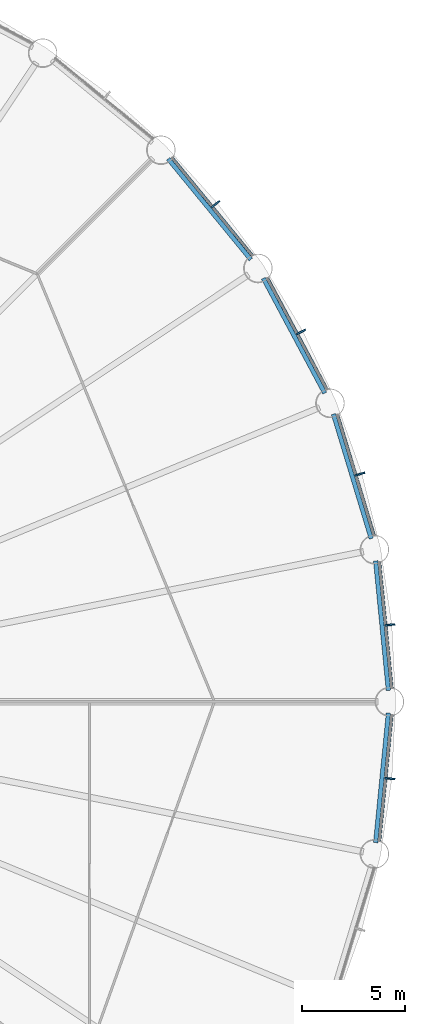
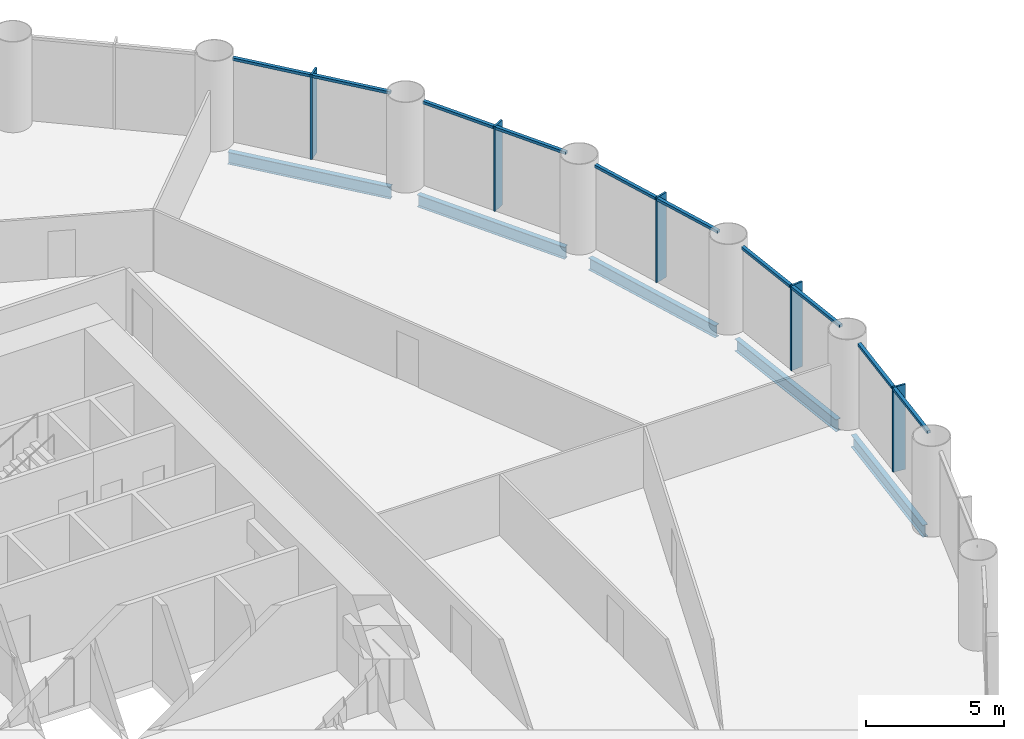
# One storey, part 6 of 15: 15 members, 5 beams, 5 elements without a shape of their own.
"""IFC4 building model written with IfcOpenShell, lengths in metres."""

from ifc_helpers import new_model, si_unit, direction, frame, origin, origin_2d, place, context, subcontext, project, spatial, rectangle, i_section, extrude, material, material_profile, profile_set, type_object, element, aggregate, save


model = new_model("IFC4")

# Units and contexts
model_context = context("Model", 3, precision=1e-05, world=origin(), true_north=direction((0.0, 1.0)))
body_context = subcontext(model_context, "Body", "Model", "MODEL_VIEW")
ifc_project = project(units=[si_unit("LENGTHUNIT", "METRE"), si_unit("AREAUNIT", "SQUARE_METRE"), si_unit("VOLUMEUNIT", "CUBIC_METRE"), si_unit("PLANEANGLEUNIT", "RADIAN"), si_unit("MASSUNIT", "GRAM", prefix="KILO")], contexts=[model_context])

# Site, building, storey
site_placement = place(None, origin())
site = spatial("IfcSite", under=ifc_project, at=site_placement, CompositionType="ELEMENT")
building_placement = place(site_placement, origin())
building = spatial("IfcBuilding", under=site, at=building_placement, Name="Corvane Civic Tower", CompositionType="ELEMENT")
storey_placement = place(building_placement, frame((0.0, 0.0, 57.0)))
storey = spatial("IfcBuildingStorey", under=building, at=storey_placement, Name="L12", CompositionType="ELEMENT", Elevation=57.0)

# Beams
ifc_material_1 = material(Name="Steel ASTM A992 Gr 50", Category="steel")
ifc_material_profile_1 = material_profile(ifc_material_1, i_section(OverallWidth=0.209228515625, OverallDepth=0.533447265625, WebThickness=0.01025390625, FlangeThickness=0.015625, at=origin_2d()), Name="W21X62")
ifc_profile_set_1 = profile_set([ifc_material_profile_1], Name="Steel ASTM A992 Gr 50")
beam_type = type_object("IfcBeamType", Name="EDGE BEAM W21X62", PredefinedType="BEAM", material=ifc_profile_set_1)
beam_placement = place(storey_placement, frame((27.0068359375, 26.23291015625, -0.566650390625), z_axis=(0.634386787141, -0.773015785286, 0.0), x_axis=(0.773015785286, 0.634386787141, 0.0)))
element("IfcBeam", 1, at=beam_placement, inside=storey, type_object=beam_type, Name="BM-L12-E05", PredefinedType="BEAM", context=body_context, shape_type="SweptSolid", body=[
    extrude(i_section(OverallWidth=0.209228515625, OverallDepth=0.533447265625, WebThickness=0.01025390625, FlangeThickness=0.015625, at=origin_2d()), origin(), (0.0, 0.0, 1.0), 6.290771484375),
])
for number, where, z_axis, x_axis, name in (
    (2, (31.605712890625, 20.4599609375, -0.566650390625), (0.471405897311, -0.881916367906, 0.0), (0.881916367906, 0.471405897311, 0.0), "BM-L12-E06"),
    (3, (34.989990234375, 13.90087890625, -0.566650390625), (0.290273452184, -0.956943740748, 0.0), (0.956943740748, 0.290273452184, 0.0), "BM-L12-E07"),
):
    element("IfcBeam", number, at=place(storey_placement, frame(where, z_axis=z_axis, x_axis=x_axis)), inside=storey, type_object=beam_type, Name=name, PredefinedType="BEAM", context=body_context, shape_type="SweptSolid", body=[
        extrude(i_section(OverallWidth=0.209228515625, OverallDepth=0.533447265625, WebThickness=0.01025390625, FlangeThickness=0.015625, at=origin_2d()), origin(), (0.0, 0.0, 1.0), 6.290283203125),
    ])
for number, where, z_axis, x_axis, name in (
    (4, (37.029541015625, 6.8076171875, -0.566650390625), (0.097997284622, -0.995186682089, 0.0), (0.995186682089, 0.097997284622, 0.0), "BM-L12-E08"),
    (5, (37.64599609375, -0.54736328125, -0.566650390625), (-0.097997284622, -0.995186682089, 0.0), (0.995186682089, -0.097997284622, 0.0), "BM-L12-E09"),
):
    element("IfcBeam", number, at=place(storey_placement, frame(where, z_axis=z_axis, x_axis=x_axis)), inside=storey, type_object=beam_type, Name=name, PredefinedType="BEAM", context=body_context, shape_type="SweptSolid", body=[
        extrude(i_section(OverallWidth=0.209228515625, OverallDepth=0.533447265625, WebThickness=0.01025390625, FlangeThickness=0.015625, at=origin_2d()), origin(), (0.0, 0.0, 1.0), 6.29052734375),
    ])

# Curtain wall, members
ifc_material_2 = material(Name="Anodised aluminium bronze", Category="aluminium")
curtain_wall_type = type_object("IfcCurtainWallType", Name="TOWER CW-T1 STICK CURTAIN WALL", PredefinedType="NOTDEFINED", material=ifc_material_2)
curtain_wall_1_placement = place(storey_placement, origin())
curtain_wall_1 = element("IfcCurtainWall", 6, at=curtain_wall_1_placement, inside=storey, type_object=curtain_wall_type, Name="Curtain wall CW-T1 L12 bay 05", PredefinedType="NOTDEFINED")
ifc_material_3 = material(Name="Anodised aluminium bronze", Category="aluminium")
ifc_material_profile_2 = material_profile(ifc_material_3, rectangle(XDim=0.139892578125, YDim=0.1201171875, at=origin_2d()), Name="TOWER CW-T1 TRANSOM 140x120")
ifc_profile_set_2 = profile_set([ifc_material_profile_2], Name="Anodised aluminium bronze")
member_type_1 = type_object("IfcMemberType", Name="TOWER CW-T1 TRANSOM 140x120", PredefinedType="USERDEFINED", material=ifc_profile_set_2)
member_1_placement = place(storey_placement, frame((27.20654296875, 26.271728515625, 3.68994140625), z_axis=(0.634403652865, -0.773001943873, 0.0), x_axis=(0.773001943873, 0.634403652865, 0.0)))
member_1 = element("IfcMember", 7, at=member_1_placement, type_object=member_type_1, Name="Transom CW-T1 L12 05.1", ObjectType="TRANSOM", PredefinedType="USERDEFINED", context=body_context, shape_type="SweptSolid", body=[
    extrude(rectangle(XDim=0.139892578125, YDim=0.1201171875, at=origin_2d()), origin(), (0.0, 0.0, 1.0), 3.008544921875),
])
member_2_placement = place(storey_placement, frame((29.166015625, 23.88427734375, 3.68994140625), z_axis=(0.634355161466, -0.773041738279, 0.0), x_axis=(0.773041738279, 0.634355161466, 0.0)))
member_2 = element("IfcMember", 8, at=member_2_placement, type_object=member_type_1, Name="Transom CW-T1 L12 05.2", ObjectType="TRANSOM", PredefinedType="USERDEFINED", context=body_context, shape_type="SweptSolid", body=[
    extrude(rectangle(XDim=0.139892578125, YDim=0.1201171875, at=origin_2d()), origin(), (0.0, 0.0, 1.0), 3.008544921875),
])

curtain_wall_2_placement = place(storey_placement, origin())
curtain_wall_2 = element("IfcCurtainWall", 9, at=curtain_wall_2_placement, inside=storey, type_object=curtain_wall_type, Name="Curtain wall CW-T1 L12 bay 06", PredefinedType="NOTDEFINED")
member_3_placement = place(storey_placement, frame((31.809326171875, 20.459228515625, 3.68994140625), z_axis=(0.471392506424, -0.881923525532, 0.0), x_axis=(0.881923525532, 0.471392506424, 0.0)))
member_3 = element("IfcMember", 10, at=member_3_placement, type_object=member_type_1, Name="Transom CW-T1 L12 06.1", ObjectType="TRANSOM", PredefinedType="USERDEFINED", context=body_context, shape_type="SweptSolid", body=[
    extrude(rectangle(XDim=0.139892578125, YDim=0.1201171875, at=origin_2d()), origin(), (0.0, 0.0, 1.0), 3.008544921875),
])
member_4_placement = place(storey_placement, frame((33.26513671875, 17.7353515625, 3.68994140625), z_axis=(0.471392506424, -0.881923525532, 0.0), x_axis=(0.881923525532, 0.471392506424, 0.0)))
member_4 = element("IfcMember", 11, at=member_4_placement, type_object=member_type_1, Name="Transom CW-T1 L12 06.2", ObjectType="TRANSOM", PredefinedType="USERDEFINED", context=body_context, shape_type="SweptSolid", body=[
    extrude(rectangle(XDim=0.139892578125, YDim=0.1201171875, at=origin_2d()), origin(), (0.0, 0.0, 1.0), 3.008544921875),
])

curtain_wall_3_placement = place(storey_placement, origin())
curtain_wall_3 = element("IfcCurtainWall", 12, at=curtain_wall_3_placement, inside=storey, type_object=curtain_wall_type, Name="Curtain wall CW-T1 L12 bay 07", PredefinedType="NOTDEFINED")
member_5_placement = place(storey_placement, frame((35.189453125, 13.8603515625, 3.68994140625), z_axis=(0.290279914268, -0.956941780555, 0.0), x_axis=(0.956941780555, 0.290279914268, 0.0)))
member_5 = element("IfcMember", 13, at=member_5_placement, type_object=member_type_1, Name="Transom CW-T1 L12 07.1", ObjectType="TRANSOM", PredefinedType="USERDEFINED", context=body_context, shape_type="SweptSolid", body=[
    extrude(rectangle(XDim=0.139892578125, YDim=0.1201171875, at=origin_2d()), origin(), (0.0, 0.0, 1.0), 3.008544921875),
])
member_6_placement = place(storey_placement, frame((36.0859375, 10.90478515625, 3.68994140625), z_axis=(0.290279914268, -0.956941780555, 0.0), x_axis=(0.956941780555, 0.290279914268, 0.0)))
member_6 = element("IfcMember", 14, at=member_6_placement, type_object=member_type_1, Name="Transom CW-T1 L12 07.2", ObjectType="TRANSOM", PredefinedType="USERDEFINED", context=body_context, shape_type="SweptSolid", body=[
    extrude(rectangle(XDim=0.139892578125, YDim=0.1201171875, at=origin_2d()), origin(), (0.0, 0.0, 1.0), 3.008544921875),
])

curtain_wall_4_placement = place(storey_placement, origin())
curtain_wall_4 = element("IfcCurtainWall", 15, at=curtain_wall_4_placement, inside=storey, type_object=curtain_wall_type, Name="Curtain wall CW-T1 L12 bay 08", PredefinedType="NOTDEFINED")
member_7_placement = place(storey_placement, frame((37.21728515625, 6.72900390625, 3.68994140625), z_axis=(0.097944923917, -0.995191836722, 0.0), x_axis=(0.995191836722, 0.097944923917, 0.0)))
member_7 = element("IfcMember", 16, at=member_7_placement, type_object=member_type_1, Name="Transom CW-T1 L12 08.1", ObjectType="TRANSOM", PredefinedType="USERDEFINED", context=body_context, shape_type="SweptSolid", body=[
    extrude(rectangle(XDim=0.139892578125, YDim=0.1201171875, at=origin_2d()), origin(), (0.0, 0.0, 1.0), 3.008544921875),
])
member_8_placement = place(storey_placement, frame((37.52001953125, 3.6552734375, 3.68994140625), z_axis=(0.097944923917, -0.995191836722, 0.0), x_axis=(0.995191836722, 0.097944923917, 0.0)))
member_8 = element("IfcMember", 17, at=member_8_placement, type_object=member_type_1, Name="Transom CW-T1 L12 08.2", ObjectType="TRANSOM", PredefinedType="USERDEFINED", context=body_context, shape_type="SweptSolid", body=[
    extrude(rectangle(XDim=0.139892578125, YDim=0.1201171875, at=origin_2d()), origin(), (0.0, 0.0, 1.0), 3.008544921875),
])

curtain_wall_5_placement = place(storey_placement, origin())
curtain_wall_5 = element("IfcCurtainWall", 18, at=curtain_wall_5_placement, inside=storey, type_object=curtain_wall_type, Name="Curtain wall CW-T1 L12 bay 09", PredefinedType="NOTDEFINED")
member_9_placement = place(storey_placement, frame((37.814697265625, -0.6611328125, 3.68994140625), z_axis=(-0.097944923917, -0.995191836722, 0.0), x_axis=(0.995191836722, -0.097944923917, 0.0)))
member_9 = element("IfcMember", 19, at=member_9_placement, type_object=member_type_1, Name="Transom CW-T1 L12 09.1", ObjectType="TRANSOM", PredefinedType="USERDEFINED", context=body_context, shape_type="SweptSolid", body=[
    extrude(rectangle(XDim=0.139892578125, YDim=0.1201171875, at=origin_2d()), origin(), (0.0, 0.0, 1.0), 3.008544921875),
])
member_10_placement = place(storey_placement, frame((37.511962890625, -3.73486328125, 3.68994140625), z_axis=(-0.097944923917, -0.995191836722, 0.0), x_axis=(0.995191836722, -0.097944923917, 0.0)))
member_10 = element("IfcMember", 20, at=member_10_placement, type_object=member_type_1, Name="Transom CW-T1 L12 09.2", ObjectType="TRANSOM", PredefinedType="USERDEFINED", context=body_context, shape_type="SweptSolid", body=[
    extrude(rectangle(XDim=0.139892578125, YDim=0.1201171875, at=origin_2d()), origin(), (0.0, 0.0, 1.0), 3.008544921875),
])

# Member
ifc_material_4 = material(Name="Anodised aluminium bronze", Category="aluminium")
ifc_material_profile_3 = material_profile(ifc_material_4, rectangle(XDim=0.080078125, YDim=0.5, at=origin_2d()), Name="TOWER FIN MULLION 80x500 BRONZE")
ifc_profile_set_3 = profile_set([ifc_material_profile_3], Name="Anodised aluminium bronze")
member_type_2 = type_object("IfcMemberType", Name="TOWER FIN MULLION 80x500 BRONZE", PredefinedType="MULLION", material=ifc_profile_set_3)
member_11_placement = place(storey_placement, frame((29.295166015625, 24.0419921875, 0.0), z_axis=(0.0, 0.0, 1.0), x_axis=(0.634397218569, -0.773007224463, 0.0)))
member_11 = element("IfcMember", 21, at=member_11_placement, type_object=member_type_2, Name="Fin mullion 05 L12", PredefinedType="MULLION", context=body_context, shape_type="SweptSolid", body=[
    extrude(rectangle(XDim=0.080078125, YDim=0.5, at=origin_2d()), origin(), (0.0, 0.0, 1.0), 3.75),
])

aggregate(curtain_wall_1, [member_11, member_1, member_2])

member_12_placement = place(storey_placement, frame((33.422607421875, 17.86474609375, 0.0), z_axis=(0.0, 0.0, 1.0), x_axis=(0.471403725359, -0.881917528864, 0.0)))
member_12 = element("IfcMember", 22, at=member_12_placement, type_object=member_type_2, Name="Fin mullion 06 L12", PredefinedType="MULLION", context=body_context, shape_type="SweptSolid", body=[
    extrude(rectangle(XDim=0.080078125, YDim=0.5, at=origin_2d()), origin(), (0.0, 0.0, 1.0), 3.75),
])

aggregate(curtain_wall_2, [member_12, member_3, member_4])

member_13_placement = place(storey_placement, frame((36.265625, 11.001220703125, 0.0), z_axis=(0.0, 0.0, 1.0), x_axis=(0.290278397654, -0.956942240606, 0.0)))
member_13 = element("IfcMember", 23, at=member_13_placement, type_object=member_type_2, Name="Fin mullion 07 L12", PredefinedType="MULLION", context=body_context, shape_type="SweptSolid", body=[
    extrude(rectangle(XDim=0.080078125, YDim=0.5, at=origin_2d()), origin(), (0.0, 0.0, 1.0), 3.75),
])

aggregate(curtain_wall_3, [member_13, member_5, member_6])

member_14_placement = place(storey_placement, frame((37.715087890625, 3.714599609375, 0.0), z_axis=(0.0, 0.0, 1.0), x_axis=(0.098006239521, -0.995185800248, 0.0)))
member_14 = element("IfcMember", 24, at=member_14_placement, type_object=member_type_2, Name="Fin mullion 08 L12", PredefinedType="MULLION", context=body_context, shape_type="SweptSolid", body=[
    extrude(rectangle(XDim=0.080078125, YDim=0.5, at=origin_2d()), origin(), (0.0, 0.0, 1.0), 3.75),
])

aggregate(curtain_wall_4, [member_14, member_7, member_8])

member_15_placement = place(storey_placement, frame((37.715087890625, -3.714599609375, 0.0), z_axis=(0.0, 0.0, 1.0), x_axis=(-0.098006239521, -0.995185800248, 0.0)))
member_15 = element("IfcMember", 25, at=member_15_placement, type_object=member_type_2, Name="Fin mullion 09 L12", PredefinedType="MULLION", context=body_context, shape_type="SweptSolid", body=[
    extrude(rectangle(XDim=0.080078125, YDim=0.5, at=origin_2d()), origin(), (0.0, 0.0, 1.0), 3.75),
])

aggregate(curtain_wall_5, [member_15, member_9, member_10])

save(model, "model.ifc")
